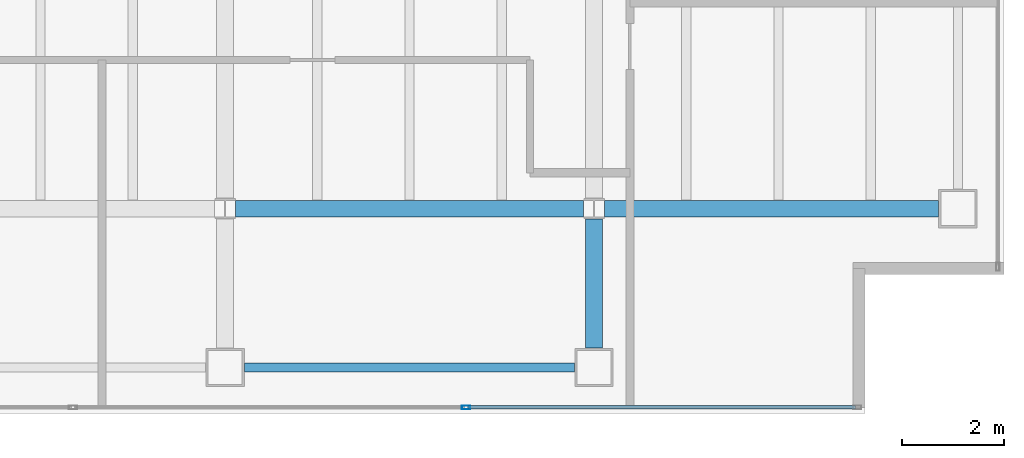
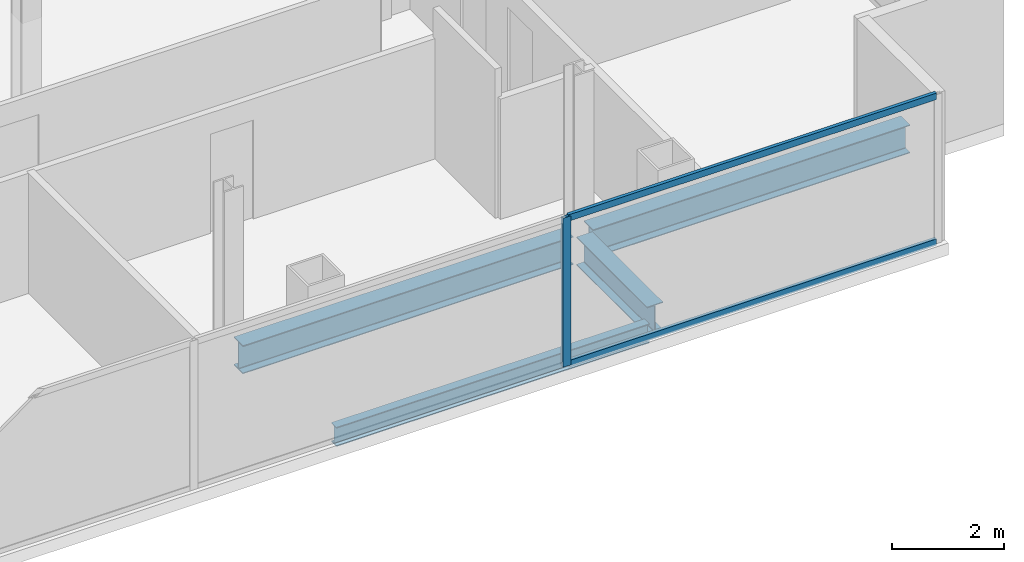
# One storey, part 10 of 23: 4 beams, 3 members, 1 element without a shape of its own.
"""IFC4 building model written with IfcOpenShell, lengths in metres."""

from ifc_helpers import new_model, si_unit, direction, frame, origin, origin_2d, place, context, subcontext, project, spatial, hollow_rectangle, i_section, extrude, material, material_profile, profile_set, type_object, element, aggregate, save


model = new_model("IFC4")

# Units and contexts
model_context = context("Model", 3, precision=1e-05, world=origin(), true_north=direction((0.0, 1.0)))
body_context = subcontext(model_context, "Body", "Model", "MODEL_VIEW")
ifc_project = project(units=[si_unit("LENGTHUNIT", "METRE"), si_unit("AREAUNIT", "SQUARE_METRE"), si_unit("VOLUMEUNIT", "CUBIC_METRE"), si_unit("PLANEANGLEUNIT", "RADIAN"), si_unit("MASSUNIT", "GRAM", prefix="KILO")], contexts=[model_context])

# Site, building, storey
site_placement = place(None, origin())
site = spatial("IfcSite", under=ifc_project, at=site_placement, CompositionType="ELEMENT")
building_placement = place(site_placement, origin())
building = spatial("IfcBuilding", under=site, at=building_placement, Name="Cobrela Telecom Tower", CompositionType="ELEMENT")
storey_placement = place(building_placement, frame((0.0, 0.0, 225.75)))
storey = spatial("IfcBuildingStorey", under=building, at=storey_placement, Name="L58", CompositionType="ELEMENT", Elevation=225.75)

# Beams
ifc_material_1 = material(Name="Steel ASTM A992 Grade 50", Category="steel")
ifc_material_profile_1 = material_profile(ifc_material_1, i_section(OverallWidth=0.324951171875, OverallDepth=0.612060546875, WebThickness=0.0126953125, FlangeThickness=0.01904296875, FilletRadius=0.014892578125, at=origin_2d()), Name="W24X104")
ifc_profile_set_1 = profile_set([ifc_material_profile_1], Name="Steel ASTM A992 Grade 50")
beam_type_1 = type_object("IfcBeamType", Name="BM-GIRD-07", PredefinedType="USERDEFINED", material=ifc_profile_set_1)
beam_1_placement = place(storey_placement, frame((29.00439453125, 7.199951171875, -0.56591796875), z_axis=(1.0, 0.0, 0.0), x_axis=(0.0, 1.0, 0.0)))
element("IfcBeam", 1, at=beam_1_placement, inside=storey, type_object=beam_type_1, Name="L58 Primary Girder X09", ObjectType="GIRDER", PredefinedType="USERDEFINED", context=body_context, shape_type="SweptSolid", body=[
    extrude(i_section(OverallWidth=0.324951171875, OverallDepth=0.612060546875, WebThickness=0.0126953125, FlangeThickness=0.01904296875, FilletRadius=0.014892578125, at=origin_2d()), origin(), (0.0, 0.0, 1.0), 6.791015625),
])
beam_2_placement = place(storey_placement, frame((36.20458984375, 7.199951171875, -0.56591796875), z_axis=(1.0, 0.0, 0.0), x_axis=(0.0, 1.0, 0.0)))
element("IfcBeam", 2, at=beam_2_placement, inside=storey, type_object=beam_type_1, Name="L58 Primary Girder X10", ObjectType="GIRDER", PredefinedType="USERDEFINED", context=body_context, shape_type="SweptSolid", body=[
    extrude(i_section(OverallWidth=0.324951171875, OverallDepth=0.612060546875, WebThickness=0.0126953125, FlangeThickness=0.01904296875, FilletRadius=0.014892578125, at=origin_2d()), origin(), (0.0, 0.0, 1.0), 6.515380859375),
])
beam_3_placement = place(storey_placement, frame((36.0, 4.47998046875, -0.56591796875), z_axis=(0.0, 1.0, 0.0), x_axis=(-1.0, 0.0, 0.0)))
element("IfcBeam", 3, at=beam_3_placement, inside=storey, type_object=beam_type_1, Name="L58 Primary Girder Y39", ObjectType="GIRDER", PredefinedType="USERDEFINED", context=body_context, shape_type="SweptSolid", body=[
    extrude(i_section(OverallWidth=0.324951171875, OverallDepth=0.612060546875, WebThickness=0.0126953125, FlangeThickness=0.01904296875, FilletRadius=0.014892578125, at=origin_2d()), origin(), (0.0, 0.0, 1.0), 2.515625),
])
ifc_material_profile_2 = material_profile(ifc_material_1, i_section(OverallWidth=0.179931640625, OverallDepth=0.4169921875, WebThickness=0.010986328125, FlangeThickness=0.01806640625, FilletRadius=0.011962890625, at=origin_2d()), Name="W16X57")
ifc_profile_set_2 = profile_set([ifc_material_profile_2], Name="Steel ASTM A992 Grade 50")
beam_type_2 = type_object("IfcBeamType", Name="BM-SPAND-06", PredefinedType="SPANDREL", material=ifc_profile_set_2)
beam_4_placement = place(storey_placement, frame((29.179931640625, 4.10009765625, -0.468505859375), z_axis=(1.0, 0.0, 0.0), x_axis=(0.0, 1.0, 0.0)))
element("IfcBeam", 4, at=beam_4_placement, inside=storey, type_object=beam_type_2, Name="L58 Perimeter Spandrel X04", PredefinedType="SPANDREL", context=body_context, shape_type="SweptSolid", body=[
    extrude(i_section(OverallWidth=0.179931640625, OverallDepth=0.4169921875, WebThickness=0.010986328125, FlangeThickness=0.01806640625, FilletRadius=0.011962890625, at=origin_2d()), origin(), (0.0, 0.0, 1.0), 6.440185546875),
])

# Curtain wall, members
ifc_material_2 = material(Name="Anodized Bronze Aluminium 6063-T6", Category="aluminium")
curtain_wall_type = type_object("IfcCurtainWallType", Name="CW-SYS-OFF-LO", PredefinedType="USERDEFINED", material=ifc_material_2)
curtain_wall_placement = place(storey_placement, origin())
curtain_wall = element("IfcCurtainWall", 5, at=curtain_wall_placement, inside=storey, type_object=curtain_wall_type, Name="L58 Unitised Bronze Curtain Wall 17", ObjectType="UNITISED CURTAIN WALL", PredefinedType="USERDEFINED")
ifc_material_profile_3 = material_profile(ifc_material_2, hollow_rectangle(XDim=0.070068359375, YDim=0.159912109375, WallThickness=0.00390625, at=origin_2d()), Name="ALU 70x160x4")
ifc_profile_set_3 = profile_set([ifc_material_profile_3], Name="Anodized Bronze Aluminium 6063-T6")
member_type_1 = type_object("IfcMemberType", Name="CW-SYS-OFF-LO-MUL", PredefinedType="MULLION", material=ifc_profile_set_3)
member_1_placement = place(storey_placement, frame((33.501953125, 3.320068359375, 0.0), z_axis=(0.0, 0.0, 1.0), x_axis=(0.0, -1.0, 0.0)))
member_1 = element("IfcMember", 6, at=member_1_placement, type_object=member_type_1, Name="CW-OFF-LO mullion 2", PredefinedType="MULLION", context=body_context, shape_type="SweptSolid", body=[
    extrude(hollow_rectangle(XDim=0.070068359375, YDim=0.159912109375, WallThickness=0.00390625, at=origin_2d()), origin(), (0.0, 0.0, 1.0), 3.239990234375),
])
ifc_material_profile_4 = material_profile(ifc_material_2, hollow_rectangle(XDim=0.070068359375, YDim=0.139892578125, WallThickness=0.00390625, at=origin_2d()), Name="ALU 70x140x4")
ifc_profile_set_4 = profile_set([ifc_material_profile_4], Name="Anodized Bronze Aluminium 6063-T6")
member_type_2 = type_object("IfcMemberType", Name="CW-SYS-OFF-LO-TRN", PredefinedType="USERDEFINED", material=ifc_profile_set_4)
member_2_placement = place(storey_placement, frame((41.10009765625, 3.320068359375, 0.034912109375), z_axis=(-1.0, 0.0, 0.0), x_axis=(0.0, -1.0, 0.0)))
member_2 = element("IfcMember", 7, at=member_2_placement, type_object=member_type_2, Name="CW-OFF-LO transom 1.1", ObjectType="TRANSOM", PredefinedType="USERDEFINED", context=body_context, shape_type="SweptSolid", body=[
    extrude(hollow_rectangle(XDim=0.070068359375, YDim=0.139892578125, WallThickness=0.00390625, at=origin_2d()), origin(), (0.0, 0.0, 1.0), 7.56298828125),
])
member_3_placement = place(storey_placement, frame((41.10009765625, 3.320068359375, 3.205078125), z_axis=(-1.0, 0.0, 0.0), x_axis=(0.0, -1.0, 0.0)))
member_3 = element("IfcMember", 8, at=member_3_placement, type_object=member_type_2, Name="CW-OFF-LO transom 1.2", ObjectType="TRANSOM", PredefinedType="USERDEFINED", context=body_context, shape_type="SweptSolid", body=[
    extrude(hollow_rectangle(XDim=0.070068359375, YDim=0.139892578125, WallThickness=0.00390625, at=origin_2d()), origin(), (0.0, 0.0, 1.0), 7.56298828125),
])
aggregate(curtain_wall, [member_1, member_2, member_3])

save(model, "model.ifc")
